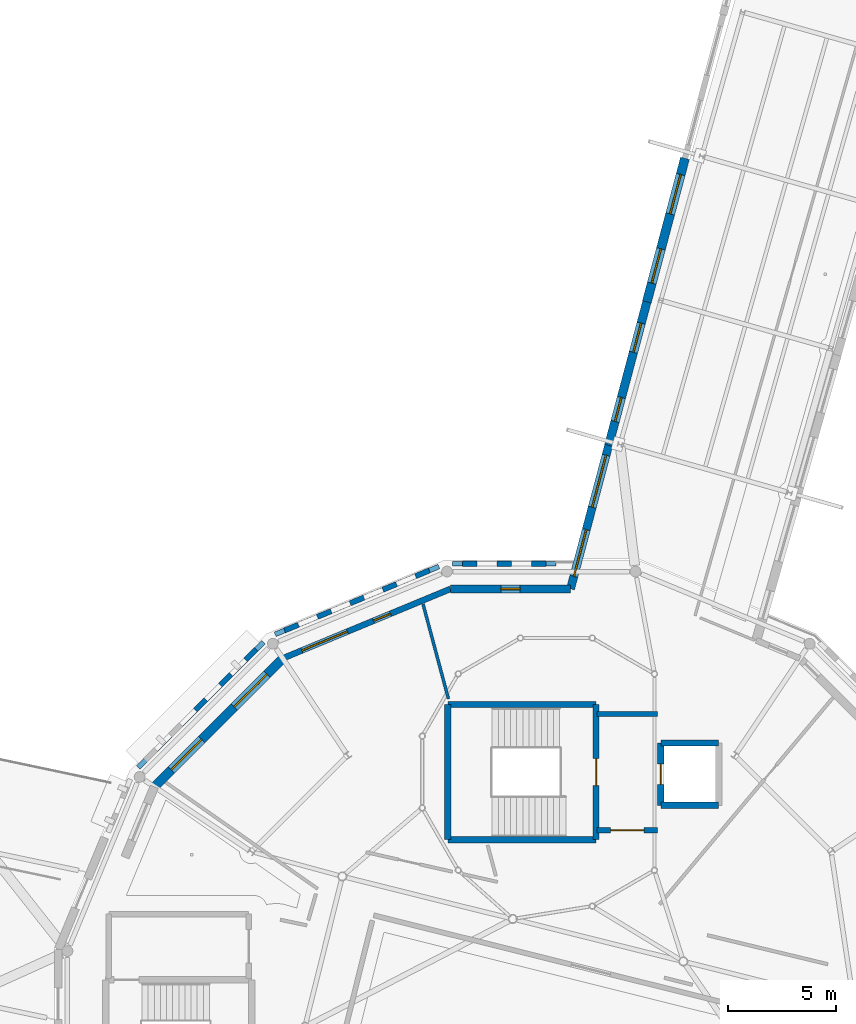
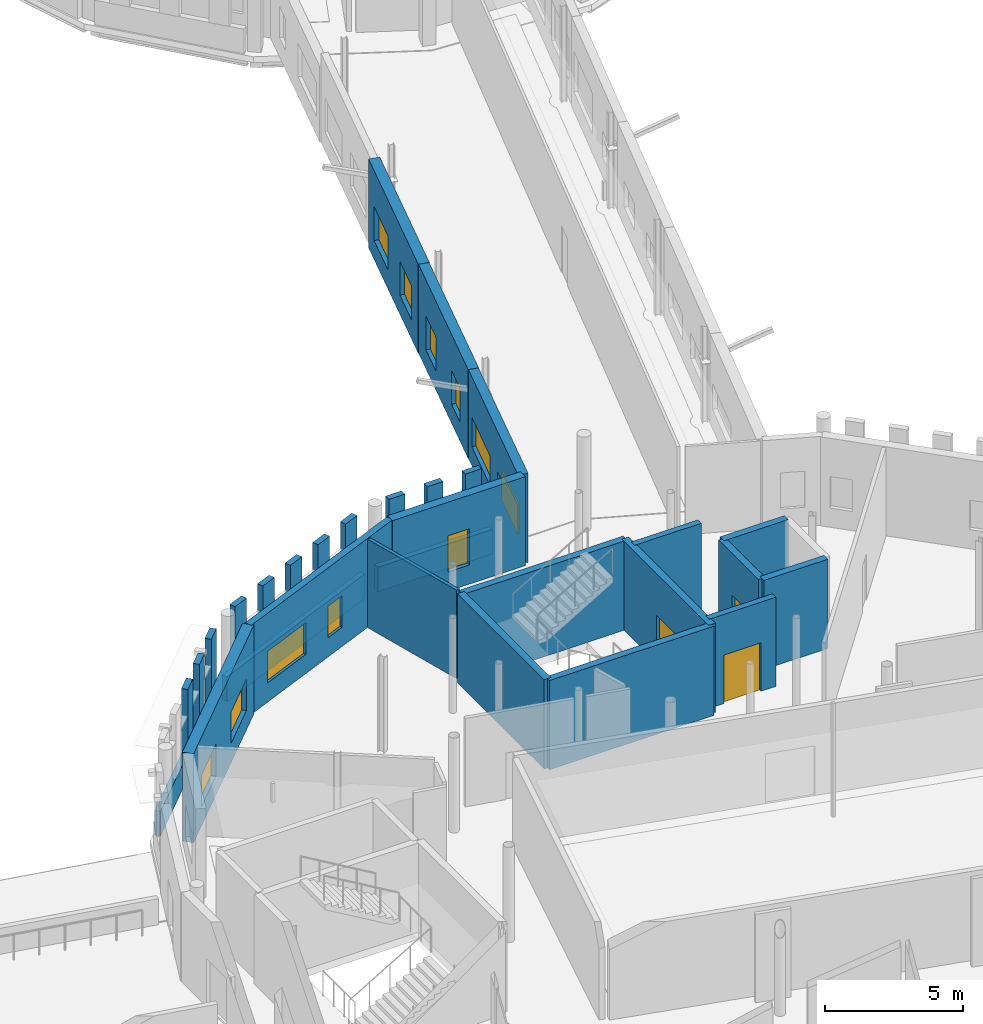
# One storey, part 66 of 90: 30 walls, 11 windows, 3 doors, 14 openings.
"""IFC4 building model written with IfcOpenShell, lengths in metres."""

from ifc_helpers import new_model, si_unit, direction, frame, frame_2d, origin, place, context, subcontext, project, spatial, rectangle, extrude, material, layer, layer_set, type_object, element, fill, save


model = new_model("IFC4")

# Units and contexts
model_context = context("Model", 3, precision=1e-05, world=origin(), true_north=direction((0.0, 1.0)))
body_context = subcontext(model_context, "Body", "Model", "MODEL_VIEW")
ifc_project = project(units=[si_unit("LENGTHUNIT", "METRE"), si_unit("AREAUNIT", "SQUARE_METRE"), si_unit("VOLUMEUNIT", "CUBIC_METRE"), si_unit("PLANEANGLEUNIT", "RADIAN"), si_unit("MASSUNIT", "GRAM", prefix="KILO")], contexts=[model_context])

# Site, building, storey
site_placement = place(None, origin())
site = spatial("IfcSite", under=ifc_project, at=site_placement, CompositionType="ELEMENT")
building_placement = place(site_placement, origin())
building = spatial("IfcBuilding", under=site, at=building_placement, Name="Wrenclough Park School", CompositionType="ELEMENT")
storey_placement = place(building_placement, frame((0.0, 0.0, 8.39990234375)))
storey = spatial("IfcBuildingStorey", under=building, at=storey_placement, Name="L02", CompositionType="ELEMENT", Elevation=8.39990234375)

# Walls
ifc_material_1 = material(Name="Perforated open-bond Staffordshire and Manchester brick screen pier", Category="masonry")
ifc_layer_1 = layer(ifc_material_1, 0.2451171875)
ifc_layer_set_1 = layer_set([ifc_layer_1], Name="Perforated open-bond Staffordshire and Manchester brick screen pier")
wall_type_1 = type_object("IfcWallType", Name="ENV-BS-PR245", PredefinedType="ELEMENTEDWALL", material=ifc_layer_set_1)
wall_1_placement = place(storey_placement, frame((155.71728515625, 48.878173828125, 1.090087890625), z_axis=(0.0, 0.0, 1.0), x_axis=(-1.0, 0.0, 0.0)))
element("IfcWall", 1, at=wall_1_placement, inside=storey, type_object=wall_type_1, Name="D1 L02 perforated brick screen pier 0397", PredefinedType="ELEMENTEDWALL", context=body_context, shape_type="SweptSolid", body=[
    extrude(rectangle(XDim=0.6708984375, YDim=0.2451171875, at=frame_2d((0.33544921875, 0.0))), origin(), (0.0, 0.0, 1.0), 2.85009765625),
])
for number, where, z_axis, x_axis, name in (
    (2, (154.11865234375, 48.878173828125, 1.090087890625), (0.0, 0.0, 1.0), (-1.0, 0.0, 0.0), "D1 L02 perforated brick screen pier 0398"),
    (3, (152.52001953125, 48.878173828125, 1.090087890625), (0.0, 0.0, 1.0), (-1.0, 0.0, 0.0), "D1 L02 perforated brick screen pier 0399"),
):
    element("IfcWall", number, at=place(storey_placement, frame(where, z_axis=z_axis, x_axis=x_axis)), inside=storey, type_object=wall_type_1, Name=name, PredefinedType="ELEMENTEDWALL", context=body_context, shape_type="SweptSolid", body=[
        extrude(rectangle(XDim=0.671142578125, YDim=0.2451171875, at=frame_2d((0.33544921875, 0.0))), origin(), (0.0, 0.0, 1.0), 2.85009765625),
    ])
wall_2_placement = place(storey_placement, frame((150.296630859375, 48.566650390625, 1.090087890625), z_axis=(0.0, 0.0, 1.0), x_axis=(-0.92377564286, -0.382934147939, 0.0)))
element("IfcWall", 4, at=wall_2_placement, inside=storey, type_object=wall_type_1, Name="D1 L02 perforated brick screen pier 0400", PredefinedType="ELEMENTEDWALL", context=body_context, shape_type="SweptSolid", body=[
    extrude(rectangle(XDim=0.691162109375, YDim=0.2451171875, at=frame_2d((0.345703125, 0.0))), origin(), (0.0, 0.0, 1.0), 2.85009765625),
])
for number, where, z_axis, x_axis, name in (
    (5, (148.77587890625, 47.9365234375, 1.090087890625), (0.0, 0.0, 1.0), (-0.923900574703, -0.38263262807, 0.0), "D1 L02 perforated brick screen pier 0401"),
    (6, (147.255126953125, 47.306640625, 1.090087890625), (0.0, 0.0, 1.0), (-0.923900574703, -0.38263262807, 0.0), "D1 L02 perforated brick screen pier 0402"),
    (7, (145.734619140625, 46.6767578125, 1.090087890625), (0.0, 0.0, 1.0), (-0.923900574703, -0.38263262807, 0.0), "D1 L02 perforated brick screen pier 0403"),
    (8, (144.2138671875, 46.046875, 1.090087890625), (0.0, 0.0, 1.0), (-0.923900574703, -0.38263262807, 0.0), "D1 L02 perforated brick screen pier 0404"),
):
    element("IfcWall", number, at=place(storey_placement, frame(where, z_axis=z_axis, x_axis=x_axis)), inside=storey, type_object=wall_type_1, Name=name, PredefinedType="ELEMENTEDWALL", context=body_context, shape_type="SweptSolid", body=[
        extrude(rectangle(XDim=0.69091796875, YDim=0.2451171875, at=frame_2d((0.345458984375, 0.0))), origin(), (0.0, 0.0, 1.0), 2.85009765625),
    ])
wall_3_placement = place(storey_placement, frame((142.247802734375, 44.895263671875, 1.090087890625), z_axis=(0.0, 0.0, 1.0), x_axis=(-0.706930114916, -0.707283403329, 0.0)))
element("IfcWall", 9, at=wall_3_placement, inside=storey, type_object=wall_type_1, Name="D1 L02 perforated brick screen pier 0405", PredefinedType="ELEMENTEDWALL", context=body_context, shape_type="SweptSolid", body=[
    extrude(rectangle(XDim=0.691162109375, YDim=0.2451171875, at=frame_2d((0.345703125, 0.0))), origin(), (0.0, 0.0, 1.0), 2.85009765625),
])
for number, where, z_axis, x_axis, name in (
    (10, (141.084228515625, 43.7314453125, 1.090087890625), (0.0, 0.0, 1.0), (-0.707106781187, -0.707106781187, 0.0), "D1 L02 perforated brick screen pier 0406"),
    (11, (139.92041015625, 42.567626953125, 1.090087890625), (0.0, 0.0, 1.0), (-0.707106781187, -0.707106781187, 0.0), "D1 L02 perforated brick screen pier 0407"),
):
    element("IfcWall", number, at=place(storey_placement, frame(where, z_axis=z_axis, x_axis=x_axis)), inside=storey, type_object=wall_type_1, Name=name, PredefinedType="ELEMENTEDWALL", context=body_context, shape_type="SweptSolid", body=[
        extrude(rectangle(XDim=0.69091796875, YDim=0.2451171875, at=frame_2d((0.345458984375, 0.0))), origin(), (0.0, 0.0, 1.0), 2.85009765625),
    ])
ifc_material_2 = material(Name="Open-bond Manchester multi-stock brick spandrel screen", Category="masonry")
ifc_layer_2 = layer(ifc_material_2, 0.22509765625)
ifc_layer_set_2 = layer_set([ifc_layer_2], Name="Open-bond Manchester multi-stock brick spandrel screen")
wall_type_2 = type_object("IfcWallType", Name="ENV-BS-SP225", PredefinedType="ELEMENTEDWALL", material=ifc_layer_set_2)
wall_4_placement = place(storey_placement, frame((156.18115234375, 48.878173828125, 0.0), z_axis=(0.0, 0.0, 1.0), x_axis=(-1.0, 0.0, 0.0)))
element("IfcWall", 12, at=wall_4_placement, inside=storey, type_object=wall_type_2, Name="D1 L02 open-bond brick screen spandrel 0111", PredefinedType="ELEMENTEDWALL", context=body_context, shape_type="SweptSolid", body=[
    extrude(rectangle(XDim=4.796142578125, YDim=0.22509765625, at=frame_2d((2.39794921875, 0.0))), origin(), (0.0, 0.0, 1.0), 1.090087890625),
])
wall_5_placement = place(storey_placement, frame((150.73779296875, 48.749267578125, 0.0), z_axis=(0.0, 0.0, 1.0), x_axis=(-0.923871846583, -0.38270198731, 0.0)))
element("IfcWall", 13, at=wall_5_placement, inside=storey, type_object=wall_type_2, Name="D1 L02 open-bond brick screen spandrel 0112", PredefinedType="ELEMENTEDWALL", context=body_context, shape_type="SweptSolid", body=[
    extrude(rectangle(XDim=8.22998046875, YDim=0.22509765625, at=frame_2d((4.114990234375, 0.0))), origin(), (0.0, 0.0, 1.0), 1.090087890625),
])
wall_6_placement = place(storey_placement, frame((142.58544921875, 45.23291015625, 0.0), z_axis=(0.0, 0.0, 1.0), x_axis=(-0.707106781187, -0.707106781187, 0.0)))
element("IfcWall", 14, at=wall_6_placement, inside=storey, type_object=wall_type_2, Name="D1 L02 open-bond brick screen spandrel 0113", PredefinedType="ELEMENTEDWALL", context=body_context, shape_type="SweptSolid", body=[
    extrude(rectangle(XDim=8.22900390625, YDim=0.22509765625, at=frame_2d((4.114501953125, 0.0))), origin(), (0.0, 0.0, 1.0), 1.090087890625),
])

# Wall, openings, windows
ifc_material_3 = material(Name="Link wing brick-faced cavity wall Concrete C32/40", Category="masonry")
ifc_layer_3 = layer(ifc_material_3, 0.27490234375)
ifc_layer_set_3 = layer_set([ifc_layer_3], Name="Link wing brick-faced cavity wall Concrete C32/40")
wall_type_3 = type_object("IfcWallType", Name="ENV-EW-275", PredefinedType="SOLIDWALL", material=ifc_layer_set_3)
wall_7_placement = place(storey_placement, frame((143.484375, 44.48291015625, 0.0), z_axis=(0.0, 0.0, 1.0), x_axis=(0.923884604839, 0.382671186453, 0.0)))
wall_7 = element("IfcWall", 15, at=wall_7_placement, inside=storey, type_object=wall_type_3, Name="L02 insulated brick external wall 0214", PredefinedType="SOLIDWALL", context=body_context, shape_type="SweptSolid", body=[
    extrude(rectangle(XDim=8.438720703125, YDim=0.27490234375, at=frame_2d((4.21923828125, 0.0))), origin(), (0.0, 0.0, 1.0), 3.940185546875),
])
opening_1_placement = place(wall_7_placement, frame((0.959716796875, 0.0, 0.85009765625)))
opening_1 = element("IfcOpeningElement", 16, at=opening_1_placement, cuts=wall_7, Name="Opening WN-11", PredefinedType="OPENING", context=body_context, shape_type="SweptSolid", body=[
    extrude(rectangle(XDim=2.300048828125, YDim=1.39990234375, at=frame_2d((1.14990234375, 0.699951171875))), frame((0.0, 0.1474609375, 0.0), z_axis=(0.0, -1.0, 0.0), x_axis=(1.0, 0.0, 0.0)), (0.0, 0.0, 1.0), 0.294921875),
])
opening_2_placement = place(wall_7_placement, frame((4.5693359375, 0.0, 0.85009765625)))
opening_2 = element("IfcOpeningElement", 17, at=opening_2_placement, cuts=wall_7, Name="Opening WN-01", PredefinedType="OPENING", context=body_context, shape_type="SweptSolid", body=[
    extrude(rectangle(XDim=0.85009765625, YDim=1.39990234375, at=frame_2d((0.425048828125, 0.699951171875))), frame((0.0, 0.1474609375, 0.0), z_axis=(0.0, -1.0, 0.0), x_axis=(1.0, 0.0, 0.0)), (0.0, 0.0, 1.0), 0.294921875),
])
ifc_material_4 = material(Name="Thermally broken aluminium and double-glazed low-e glass", Category="aluminium")
window_type_1 = type_object("IfcWindowType", Name="ENV-WN-01", PartitioningType="SINGLE_PANEL", PredefinedType="WINDOW", material=ifc_material_4)
window_1_placement = place(opening_2_placement, origin())
window_1 = element("IfcWindow", 18, at=window_1_placement, inside=storey, type_object=window_type_1, Name="L02 scheduled facade window 0347", OverallHeight=1.39990234375, OverallWidth=0.85009765625, PartitioningType="SINGLE_PANEL", PredefinedType="WINDOW", context=body_context, shape_type="SweptSolid", body=[
    extrude(rectangle(XDim=0.85009765625, YDim=1.39990234375, at=frame_2d((0.425048828125, 0.699951171875))), frame((0.0, 0.030029296875, 0.0), z_axis=(0.0, -1.0, 0.0), x_axis=(1.0, 0.0, 0.0)), (0.0, 0.0, 1.0), 0.06005859375),
])
fill(opening_2, window_1)
window_type_2 = type_object("IfcWindowType", Name="ENV-WN-11", PartitioningType="DOUBLE_PANEL_VERTICAL", PredefinedType="WINDOW", material=ifc_material_4)
window_2_placement = place(opening_1_placement, origin())
window_2 = element("IfcWindow", 19, at=window_2_placement, inside=storey, type_object=window_type_2, Name="L02 scheduled facade window 0346", OverallHeight=1.39990234375, OverallWidth=2.300048828125, PartitioningType="SINGLE_PANEL", PredefinedType="WINDOW", context=body_context, shape_type="SweptSolid", body=[
    extrude(rectangle(XDim=2.300048828125, YDim=1.39990234375, at=frame_2d((1.14990234375, 0.699951171875))), frame((0.0, 0.030029296875, 0.0), z_axis=(0.0, -1.0, 0.0), x_axis=(1.0, 0.0, 0.0)), (0.0, 0.0, 1.0), 0.06005859375),
])
fill(opening_1, window_2)

# Wall, opening, window
ifc_material_5 = material(Name="Faceted courtyard brick-cavity wall Concrete C35/45", Category="masonry")
ifc_layer_4 = layer(ifc_material_5, 0.364990234375)
ifc_layer_set_4 = layer_set([ifc_layer_4], Name="Faceted courtyard brick-cavity wall Concrete C35/45")
wall_type_4 = type_object("IfcWallType", Name="ENV-EW-365", PredefinedType="SOLIDWALL", material=ifc_layer_set_4)
wall_8_placement = place(storey_placement, frame((151.28076171875, 47.712158203125, 0.0), z_axis=(0.0, 0.0, 1.0), x_axis=(1.0, 0.0, 0.0)))
wall_8 = element("IfcWall", 20, at=wall_8_placement, inside=storey, type_object=wall_type_4, Name="L02 insulated brick external wall 0215", PredefinedType="SOLIDWALL", context=body_context, shape_type="SweptSolid", body=[
    extrude(rectangle(XDim=5.577880859375, YDim=0.364990234375, at=frame_2d((2.7890625, 0.0))), origin(), (0.0, 0.0, 1.0), 3.940185546875),
])
opening_3_placement = place(wall_8_placement, frame((2.339111328125, 0.0, 0.85009765625)))
opening_3 = element("IfcOpeningElement", 21, at=opening_3_placement, cuts=wall_8, Name="Opening WN-13", PredefinedType="OPENING", context=body_context, shape_type="SweptSolid", body=[
    extrude(rectangle(XDim=0.89990234375, YDim=1.60009765625, at=frame_2d((0.449951171875, 0.800048828125))), frame((0.0, 0.1923828125, 0.0), z_axis=(0.0, -1.0, 0.0), x_axis=(1.0, 0.0, 0.0)), (0.0, 0.0, 1.0), 0.385009765625),
])
window_type_3 = type_object("IfcWindowType", Name="ENV-WN-13", PartitioningType="SINGLE_PANEL", PredefinedType="WINDOW", material=ifc_material_4)
window_3_placement = place(opening_3_placement, origin())
window_3 = element("IfcWindow", 22, at=window_3_placement, inside=storey, type_object=window_type_3, Name="L02 scheduled facade window 0348", OverallHeight=1.60009765625, OverallWidth=0.89990234375, PartitioningType="SINGLE_PANEL", PredefinedType="WINDOW", context=body_context, shape_type="SweptSolid", body=[
    extrude(rectangle(XDim=0.89990234375, YDim=1.60009765625, at=frame_2d((0.449951171875, 0.800048828125))), frame((0.0, 0.030029296875, 0.0), z_axis=(0.0, -1.0, 0.0), x_axis=(1.0, 0.0, 0.0)), (0.0, 0.0, 1.0), 0.06005859375),
])
fill(opening_3, window_3)

# Wall, openings, windows
ifc_material_6 = material(Name="Manchester multi-stock brick and Concrete C35/45 inner leaf", Category="masonry")
ifc_layer_5 = layer(ifc_material_6, 0.3798828125)
ifc_layer_set_5 = layer_set([ifc_layer_5], Name="Manchester multi-stock brick and Concrete C35/45 inner leaf")
wall_type_5 = type_object("IfcWallType", Name="ENV-EW-380", PredefinedType="SOLIDWALL", material=ifc_layer_set_5)
wall_9_placement = place(storey_placement, frame((156.858642578125, 47.712158203125, 0.0), z_axis=(0.0, 0.0, 1.0), x_axis=(0.256891955278, 0.966440129192, 0.0)))
wall_9 = element("IfcWall", 23, at=wall_9_placement, inside=storey, type_object=wall_type_5, Name="L02 insulated brick external wall 0139", PredefinedType="SOLIDWALL", context=body_context, shape_type="SweptSolid", body=[
    extrude(rectangle(XDim=6.901611328125, YDim=0.3798828125, at=frame_2d((3.45068359375, 0.0))), origin(), (0.0, 0.0, 1.0), 3.940185546875),
])
opening_4_placement = place(wall_9_placement, frame((0.600341796875, 0.0, 0.85009765625)))
opening_4 = element("IfcOpeningElement", 24, at=opening_4_placement, cuts=wall_9, Name="Opening WN-48", PredefinedType="OPENING", context=body_context, shape_type="SweptSolid", body=[
    extrude(rectangle(XDim=2.25, YDim=1.300048828125, at=frame_2d((1.125, 0.64990234375))), frame((0.0, 0.199951171875, 0.0), z_axis=(0.0, -1.0, 0.0), x_axis=(1.0, 0.0, 0.0)), (0.0, 0.0, 1.0), 0.39990234375),
])
opening_5_placement = place(wall_9_placement, frame((3.926025390625, 0.0, 0.85009765625)))
opening_5 = element("IfcOpeningElement", 25, at=opening_5_placement, cuts=wall_9, Name="Opening WN-49", PredefinedType="OPENING", context=body_context, shape_type="SweptSolid", body=[
    extrude(rectangle(XDim=2.5, YDim=1.300048828125, at=frame_2d((1.25, 0.64990234375))), frame((0.0, 0.199951171875, 0.0), z_axis=(0.0, -1.0, 0.0), x_axis=(1.0, 0.0, 0.0)), (0.0, 0.0, 1.0), 0.39990234375),
])
window_type_4 = type_object("IfcWindowType", Name="ENV-WN-48", PartitioningType="DOUBLE_PANEL_VERTICAL", PredefinedType="WINDOW", material=ifc_material_4)
window_4_placement = place(opening_4_placement, origin())
window_4 = element("IfcWindow", 26, at=window_4_placement, inside=storey, type_object=window_type_4, Name="L02 scheduled facade window 0215", OverallHeight=1.300048828125, OverallWidth=2.25, PartitioningType="SINGLE_PANEL", PredefinedType="WINDOW", context=body_context, shape_type="SweptSolid", body=[
    extrude(rectangle(XDim=2.25, YDim=1.300048828125, at=frame_2d((1.125, 0.64990234375))), frame((0.0, 0.030029296875, 0.0), z_axis=(0.0, -1.0, 0.0), x_axis=(1.0, 0.0, 0.0)), (0.0, 0.0, 1.0), 0.06005859375),
])
fill(opening_4, window_4)
window_type_5 = type_object("IfcWindowType", Name="ENV-WN-49", PartitioningType="DOUBLE_PANEL_VERTICAL", PredefinedType="WINDOW", material=ifc_material_4)
window_5_placement = place(opening_5_placement, origin())
window_5 = element("IfcWindow", 27, at=window_5_placement, inside=storey, type_object=window_type_5, Name="L02 scheduled facade window 0216", OverallHeight=1.300048828125, OverallWidth=2.5, PartitioningType="SINGLE_PANEL", PredefinedType="WINDOW", context=body_context, shape_type="SweptSolid", body=[
    extrude(rectangle(XDim=2.5, YDim=1.300048828125, at=frame_2d((1.25, 0.64990234375))), frame((0.0, 0.030029296875, 0.0), z_axis=(0.0, -1.0, 0.0), x_axis=(1.0, 0.0, 0.0)), (0.0, 0.0, 1.0), 0.06005859375),
])
fill(opening_5, window_5)

ifc_material_7 = material(Name="Staffordshire blue-grey brick and Concrete C40/50 acoustic leaf", Category="masonry")
ifc_layer_6 = layer(ifc_material_7, 0.39990234375)
ifc_layer_set_6 = layer_set([ifc_layer_6], Name="Staffordshire blue-grey brick and Concrete C40/50 acoustic leaf")
wall_type_6 = type_object("IfcWallType", Name="ENV-EW-400", PredefinedType="SOLIDWALL", material=ifc_layer_set_6)
wall_10_placement = place(storey_placement, frame((158.631591796875, 54.382080078125, 0.0), z_axis=(0.0, 0.0, 1.0), x_axis=(0.256900738099, 0.966437794565, 0.0)))
wall_10 = element("IfcWall", 28, at=wall_10_placement, inside=storey, type_object=wall_type_6, Name="L02 insulated brick external wall 0140", PredefinedType="SOLIDWALL", context=body_context, shape_type="SweptSolid", body=[
    extrude(rectangle(XDim=6.9013671875, YDim=0.39990234375, at=frame_2d((3.45068359375, 0.0))), origin(), (0.0, 0.0, 1.0), 3.940185546875),
])
opening_6_placement = place(wall_10_placement, frame((1.150390625, 0.0, 0.85009765625)))
opening_6 = element("IfcOpeningElement", 29, at=opening_6_placement, cuts=wall_10, Name="Opening WN-50", PredefinedType="OPENING", context=body_context, shape_type="SweptSolid", body=[
    extrude(rectangle(XDim=1.14990234375, YDim=1.5, at=frame_2d((0.574951171875, 0.75))), frame((0.0, 0.2099609375, 0.0), z_axis=(0.0, -1.0, 0.0), x_axis=(1.0, 0.0, 0.0)), (0.0, 0.0, 1.0), 0.419921875),
])
opening_7_placement = place(wall_10_placement, frame((4.47607421875, 0.0, 0.85009765625)))
opening_7 = element("IfcOpeningElement", 30, at=opening_7_placement, cuts=wall_10, Name="Opening WN-51", PredefinedType="OPENING", context=body_context, shape_type="SweptSolid", body=[
    extrude(rectangle(XDim=1.39990234375, YDim=1.5, at=frame_2d((0.699951171875, 0.75))), frame((0.0, 0.2099609375, 0.0), z_axis=(0.0, -1.0, 0.0), x_axis=(1.0, 0.0, 0.0)), (0.0, 0.0, 1.0), 0.419921875),
])
window_type_6 = type_object("IfcWindowType", Name="ENV-WN-50", PartitioningType="SINGLE_PANEL", PredefinedType="WINDOW", material=ifc_material_4)
window_6_placement = place(opening_6_placement, origin())
window_6 = element("IfcWindow", 31, at=window_6_placement, inside=storey, type_object=window_type_6, Name="L02 scheduled facade window 0217", OverallHeight=1.5, OverallWidth=1.14990234375, PartitioningType="SINGLE_PANEL", PredefinedType="WINDOW", context=body_context, shape_type="SweptSolid", body=[
    extrude(rectangle(XDim=1.14990234375, YDim=1.5, at=frame_2d((0.574951171875, 0.75))), frame((0.0, 0.030029296875, 0.0), z_axis=(0.0, -1.0, 0.0), x_axis=(1.0, 0.0, 0.0)), (0.0, 0.0, 1.0), 0.06005859375),
])
fill(opening_6, window_6)
window_type_7 = type_object("IfcWindowType", Name="ENV-WN-51", PartitioningType="SINGLE_PANEL", PredefinedType="WINDOW", material=ifc_material_4)
window_7_placement = place(opening_7_placement, origin())
window_7 = element("IfcWindow", 32, at=window_7_placement, inside=storey, type_object=window_type_7, Name="L02 scheduled facade window 0218", OverallHeight=1.5, OverallWidth=1.39990234375, PartitioningType="SINGLE_PANEL", PredefinedType="WINDOW", context=body_context, shape_type="SweptSolid", body=[
    extrude(rectangle(XDim=1.39990234375, YDim=1.5, at=frame_2d((0.699951171875, 0.75))), frame((0.0, 0.030029296875, 0.0), z_axis=(0.0, -1.0, 0.0), x_axis=(1.0, 0.0, 0.0)), (0.0, 0.0, 1.0), 0.06005859375),
])
fill(opening_7, window_7)

ifc_material_8 = material(Name="Insulated brick-clad sports hall wall Concrete C40/50", Category="masonry")
ifc_layer_7 = layer(ifc_material_8, 0.425048828125)
ifc_layer_set_7 = layer_set([ifc_layer_7], Name="Insulated brick-clad sports hall wall Concrete C40/50")
wall_type_7 = type_object("IfcWallType", Name="ENV-EW-425", PredefinedType="SOLIDWALL", material=ifc_layer_set_7)
wall_11_placement = place(storey_placement, frame((160.404541015625, 61.0517578125, 0.0), z_axis=(0.0, 0.0, 1.0), x_axis=(0.256858914513, 0.966448911239, 0.0)))
wall_11 = element("IfcWall", 33, at=wall_11_placement, inside=storey, type_object=wall_type_7, Name="L02 insulated brick external wall 0141", PredefinedType="SOLIDWALL", context=body_context, shape_type="SweptSolid", body=[
    extrude(rectangle(XDim=6.9013671875, YDim=0.425048828125, at=frame_2d((3.45068359375, 0.0))), origin(), (0.0, 0.0, 1.0), 3.940185546875),
])
opening_8_placement = place(wall_11_placement, frame((0.900390625, 0.0, 0.85009765625)))
opening_8 = element("IfcOpeningElement", 34, at=opening_8_placement, cuts=wall_11, Name="Opening WN-52", PredefinedType="OPENING", context=body_context, shape_type="SweptSolid", body=[
    extrude(rectangle(XDim=1.64990234375, YDim=1.5, at=frame_2d((0.824951171875, 0.75))), frame((0.0, 0.222412109375, 0.0), z_axis=(0.0, -1.0, 0.0), x_axis=(1.0, 0.0, 0.0)), (0.0, 0.0, 1.0), 0.445068359375),
])
opening_9_placement = place(wall_11_placement, frame((4.22607421875, 0.0, 0.85009765625)))
opening_9 = element("IfcOpeningElement", 35, at=opening_9_placement, cuts=wall_11, Name="Opening WN-53", PredefinedType="OPENING", context=body_context, shape_type="SweptSolid", body=[
    extrude(rectangle(XDim=1.89990234375, YDim=1.5, at=frame_2d((0.949951171875, 0.75))), frame((0.0, 0.222412109375, 0.0), z_axis=(0.0, -1.0, 0.0), x_axis=(1.0, 0.0, 0.0)), (0.0, 0.0, 1.0), 0.445068359375),
])
window_type_8 = type_object("IfcWindowType", Name="ENV-WN-52", PartitioningType="DOUBLE_PANEL_VERTICAL", PredefinedType="WINDOW", material=ifc_material_4)
window_8_placement = place(opening_8_placement, origin())
window_8 = element("IfcWindow", 36, at=window_8_placement, inside=storey, type_object=window_type_8, Name="L02 scheduled facade window 0219", OverallHeight=1.5, OverallWidth=1.64990234375, PartitioningType="SINGLE_PANEL", PredefinedType="WINDOW", context=body_context, shape_type="SweptSolid", body=[
    extrude(rectangle(XDim=1.64990234375, YDim=1.5, at=frame_2d((0.824951171875, 0.75))), frame((0.0, 0.030029296875, 0.0), z_axis=(0.0, -1.0, 0.0), x_axis=(1.0, 0.0, 0.0)), (0.0, 0.0, 1.0), 0.06005859375),
])
fill(opening_8, window_8)
window_type_9 = type_object("IfcWindowType", Name="ENV-WN-53", PartitioningType="DOUBLE_PANEL_VERTICAL", PredefinedType="WINDOW", material=ifc_material_4)
window_9_placement = place(opening_9_placement, origin())
window_9 = element("IfcWindow", 37, at=window_9_placement, inside=storey, type_object=window_type_9, Name="L02 scheduled facade window 0220", OverallHeight=1.5, OverallWidth=1.89990234375, PartitioningType="SINGLE_PANEL", PredefinedType="WINDOW", context=body_context, shape_type="SweptSolid", body=[
    extrude(rectangle(XDim=1.89990234375, YDim=1.5, at=frame_2d((0.949951171875, 0.75))), frame((0.0, 0.030029296875, 0.0), z_axis=(0.0, -1.0, 0.0), x_axis=(1.0, 0.0, 0.0)), (0.0, 0.0, 1.0), 0.06005859375),
])
fill(opening_9, window_9)

wall_12_placement = place(storey_placement, frame((137.51708984375, 38.515625, 0.0), z_axis=(0.0, 0.0, 1.0), x_axis=(0.707106781187, 0.707106781187, 0.0)))
wall_12 = element("IfcWall", 38, at=wall_12_placement, inside=storey, type_object=wall_type_7, Name="L02 insulated brick external wall 0213", PredefinedType="SOLIDWALL", context=body_context, shape_type="SweptSolid", body=[
    extrude(rectangle(XDim=8.43896484375, YDim=0.425048828125, at=frame_2d((4.219482421875, 0.0))), origin(), (0.0, 0.0, 1.0), 3.940185546875),
])
opening_10_placement = place(wall_12_placement, frame((1.109619140625, 0.0, 0.85009765625)))
opening_10 = element("IfcOpeningElement", 39, at=opening_10_placement, cuts=wall_12, Name="Opening WN-09", PredefinedType="OPENING", context=body_context, shape_type="SweptSolid", body=[
    extrude(rectangle(XDim=2.0, YDim=1.39990234375, at=frame_2d((1.0, 0.699951171875))), frame((0.0, 0.222412109375, 0.0), z_axis=(0.0, -1.0, 0.0), x_axis=(1.0, 0.0, 0.0)), (0.0, 0.0, 1.0), 0.445068359375),
])
opening_11_placement = place(wall_12_placement, frame((5.254150390625, 0.0, 0.85009765625)))
opening_11 = element("IfcOpeningElement", 40, at=opening_11_placement, cuts=wall_12, Name="Opening WN-10", PredefinedType="OPENING", context=body_context, shape_type="SweptSolid", body=[
    extrude(rectangle(XDim=2.14990234375, YDim=1.39990234375, at=frame_2d((1.074951171875, 0.699951171875))), frame((0.0, 0.222412109375, 0.0), z_axis=(0.0, -1.0, 0.0), x_axis=(1.0, 0.0, 0.0)), (0.0, 0.0, 1.0), 0.445068359375),
])
window_type_10 = type_object("IfcWindowType", Name="ENV-WN-09", PartitioningType="DOUBLE_PANEL_VERTICAL", PredefinedType="WINDOW", material=ifc_material_4)
window_10_placement = place(opening_10_placement, origin())
window_10 = element("IfcWindow", 41, at=window_10_placement, inside=storey, type_object=window_type_10, Name="L02 scheduled facade window 0344", OverallHeight=1.39990234375, OverallWidth=2.0, PartitioningType="SINGLE_PANEL", PredefinedType="WINDOW", context=body_context, shape_type="SweptSolid", body=[
    extrude(rectangle(XDim=2.0, YDim=1.39990234375, at=frame_2d((1.0, 0.699951171875))), frame((0.0, 0.030029296875, 0.0), z_axis=(0.0, -1.0, 0.0), x_axis=(1.0, 0.0, 0.0)), (0.0, 0.0, 1.0), 0.06005859375),
])
fill(opening_10, window_10)
window_type_11 = type_object("IfcWindowType", Name="ENV-WN-10", PartitioningType="DOUBLE_PANEL_VERTICAL", PredefinedType="WINDOW", material=ifc_material_4)
window_11_placement = place(opening_11_placement, origin())
window_11 = element("IfcWindow", 42, at=window_11_placement, inside=storey, type_object=window_type_11, Name="L02 scheduled facade window 0345", OverallHeight=1.39990234375, OverallWidth=2.14990234375, PartitioningType="SINGLE_PANEL", PredefinedType="WINDOW", context=body_context, shape_type="SweptSolid", body=[
    extrude(rectangle(XDim=2.14990234375, YDim=1.39990234375, at=frame_2d((1.074951171875, 0.699951171875))), frame((0.0, 0.030029296875, 0.0), z_axis=(0.0, -1.0, 0.0), x_axis=(1.0, 0.0, 0.0)), (0.0, 0.0, 1.0), 0.06005859375),
])
fill(opening_11, window_11)

# Wall, opening, door
ifc_material_9 = material(Name="Concrete C35/45", Category="concrete")
ifc_layer_8 = layer(ifc_material_9, 0.25)
ifc_layer_set_8 = layer_set([ifc_layer_8], Name="Concrete C35/45")
wall_type_8 = type_object("IfcWallType", Name="INT-CW-250", PredefinedType="SHEAR", material=ifc_layer_set_8)
wall_13_placement = place(storey_placement, frame((158.10009765625, 36.5, 0.0), z_axis=(0.0, 0.0, 1.0), x_axis=(1.0, 0.0, 0.0)))
wall_13 = element("IfcWall", 43, at=wall_13_placement, inside=storey, type_object=wall_type_8, Name="Core C1 L02 lobby fire wall south", PredefinedType="SHEAR", context=body_context, shape_type="SweptSolid", body=[
    extrude(rectangle(XDim=2.7998046875, YDim=0.25, at=frame_2d((1.39990234375, 0.0))), origin(), (0.0, 0.0, 1.0), 3.9501953125),
])
opening_12_placement = place(wall_13_placement, frame((0.625, 0.0, 0.0)))
opening_12 = element("IfcOpeningElement", 44, at=opening_12_placement, cuts=wall_13, Name="Opening DLB-C1-L02", PredefinedType="OPENING", context=body_context, shape_type="SweptSolid", body=[
    extrude(rectangle(XDim=1.550048828125, YDim=2.14990234375, at=frame_2d((0.77490234375, 1.074951171875))), frame((0.0, 0.135009765625, 0.0), z_axis=(0.0, -1.0, 0.0), x_axis=(1.0, 0.0, 0.0)), (0.0, 0.0, 1.0), 0.27001953125),
])
ifc_material_10 = material(Name="Protected stair lobby double fire door assembly", Category="wood")
door_type_1 = type_object("IfcDoorType", Name="INT-DR-LB155", OperationType="NOTDEFINED", PredefinedType="DOOR", material=ifc_material_10)
door_1_placement = place(opening_12_placement, origin())
door_1 = element("IfcDoor", 45, at=door_1_placement, inside=storey, type_object=door_type_1, Name="Core C1 L02 protected lobby fire door", OperationType="DOUBLE_DOOR_SINGLE_SWING", OverallHeight=2.14990234375, OverallWidth=1.550048828125, PredefinedType="DOOR", context=body_context, shape_type="SweptSolid", body=[
    extrude(rectangle(XDim=1.550048828125, YDim=2.14990234375, at=frame_2d((0.77490234375, 1.074951171875))), frame((0.0, 0.02490234375, 0.0), z_axis=(0.0, -1.0, 0.0), x_axis=(1.0, 0.0, 0.0)), (0.0, 0.0, 1.0), 0.050048828125),
])
fill(opening_12, door_1)

# Walls
wall_14_placement = place(storey_placement, frame((160.89990234375, 41.89990234375, 0.0), z_axis=(0.0, 0.0, 1.0), x_axis=(-1.0, 0.0, 0.0)))
element("IfcWall", 46, at=wall_14_placement, inside=storey, type_object=wall_type_8, Name="Core C1 L02 lobby fire wall north", PredefinedType="SHEAR", context=body_context, shape_type="SweptSolid", body=[
    extrude(rectangle(XDim=2.7998046875, YDim=0.25, at=frame_2d((1.39990234375, 0.0))), origin(), (0.0, 0.0, 1.0), 3.9501953125),
])
ifc_material_11 = material(Name="Concrete C40/50", Category="concrete")
ifc_layer_9 = layer(ifc_material_11, 0.2900390625)
ifc_layer_set_9 = layer_set([ifc_layer_9], Name="Concrete C40/50")
wall_type_9 = type_object("IfcWallType", Name="INT-CW-290", PredefinedType="SHEAR", material=ifc_layer_set_9)
wall_15_placement = place(storey_placement, frame((151.155029296875, 36.054931640625, 0.0), z_axis=(0.0, 0.0, 1.0), x_axis=(1.0, 0.0, 0.0)))
element("IfcWall", 47, at=wall_15_placement, inside=storey, type_object=wall_type_9, Name="Core C1 L02 south shear wall", PredefinedType="SHEAR", context=body_context, shape_type="SweptSolid", body=[
    extrude(rectangle(XDim=6.889892578125, YDim=0.2900390625, at=frame_2d((3.44482421875, 0.0))), origin(), (0.0, 0.0, 1.0), 3.9501953125),
])

# Wall, opening, door
wall_16_placement = place(storey_placement, frame((158.044921875, 36.054931640625, 0.0), z_axis=(0.0, 0.0, 1.0), x_axis=(0.0, 1.0, 0.0)))
wall_16 = element("IfcWall", 48, at=wall_16_placement, inside=storey, type_object=wall_type_9, Name="Core C1 L02 east shear wall", PredefinedType="SHEAR", context=body_context, shape_type="SweptSolid", body=[
    extrude(rectangle(XDim=6.2900390625, YDim=0.2900390625, at=frame_2d((3.14501953125, 0.0))), origin(), (0.0, 0.0, 1.0), 3.9501953125),
])
opening_13_placement = place(wall_16_placement, frame((2.52001953125, 0.0, 0.0)))
opening_13 = element("IfcOpeningElement", 49, at=opening_13_placement, cuts=wall_16, Name="Opening DST-C1-L02", PredefinedType="OPENING", context=body_context, shape_type="SweptSolid", body=[
    extrude(rectangle(XDim=1.25, YDim=2.10009765625, at=frame_2d((0.625, 1.050048828125))), frame((0.0, 0.155029296875, 0.0), z_axis=(0.0, -1.0, 0.0), x_axis=(1.0, 0.0, 0.0)), (0.0, 0.0, 1.0), 0.31005859375),
])
ifc_material_12 = material(Name="Wide protected escape stair fire door assembly", Category="wood")
door_type_2 = type_object("IfcDoorType", Name="INT-DR-ST125", OperationType="NOTDEFINED", PredefinedType="DOOR", material=ifc_material_12)
door_2_placement = place(opening_13_placement, origin())
door_2 = element("IfcDoor", 50, at=door_2_placement, inside=storey, type_object=door_type_2, Name="Stair ST-01 L02 fire door", OperationType="SINGLE_SWING_LEFT", OverallHeight=2.10009765625, OverallWidth=1.25, PredefinedType="DOOR", context=body_context, shape_type="SweptSolid", body=[
    extrude(rectangle(XDim=1.25, YDim=2.10009765625, at=frame_2d((0.625, 1.050048828125))), frame((0.0, 0.02490234375, 0.0), z_axis=(0.0, -1.0, 0.0), x_axis=(1.0, 0.0, 0.0)), (0.0, 0.0, 1.0), 0.050048828125),
])
fill(opening_13, door_2)

# Walls
wall_17_placement = place(storey_placement, frame((158.044921875, 42.344970703125, 0.0), z_axis=(0.0, 0.0, 1.0), x_axis=(-1.0, 0.0, 0.0)))
element("IfcWall", 51, at=wall_17_placement, inside=storey, type_object=wall_type_9, Name="Core C1 L02 north shear wall", PredefinedType="SHEAR", context=body_context, shape_type="SweptSolid", body=[
    extrude(rectangle(XDim=6.889892578125, YDim=0.2900390625, at=frame_2d((3.44482421875, 0.0))), origin(), (0.0, 0.0, 1.0), 3.9501953125),
])
wall_18_placement = place(storey_placement, frame((151.155029296875, 42.344970703125, 0.0), z_axis=(0.0, 0.0, 1.0), x_axis=(0.0, -1.0, 0.0)))
element("IfcWall", 52, at=wall_18_placement, inside=storey, type_object=wall_type_9, Name="Core C1 L02 west shear wall", PredefinedType="SHEAR", context=body_context, shape_type="SweptSolid", body=[
    extrude(rectangle(XDim=6.2900390625, YDim=0.2900390625, at=frame_2d((3.14501953125, 0.0))), origin(), (0.0, 0.0, 1.0), 3.9501953125),
])
for number, where, z_axis, x_axis, name in (
    (53, (161.054931640625, 37.655029296875, 0.0), (0.0, 0.0, 1.0), (1.0, 0.0, 0.0), "Lift LFT-03 L02 south shaft wall"),
    (54, (163.7451171875, 40.544921875, 0.0), (0.0, 0.0, 1.0), (-1.0, 0.0, 0.0), "Lift LFT-03 L02 north shaft wall"),
):
    element("IfcWall", number, at=place(storey_placement, frame(where, z_axis=z_axis, x_axis=x_axis)), inside=storey, type_object=wall_type_9, Name=name, PredefinedType="SHEAR", context=body_context, shape_type="SweptSolid", body=[
        extrude(rectangle(XDim=2.690185546875, YDim=0.2900390625, at=frame_2d((1.34521484375, 0.0))), origin(), (0.0, 0.0, 1.0), 3.9501953125),
    ])

# Wall, opening, door
wall_19_placement = place(storey_placement, frame((161.054931640625, 40.544921875, 0.0), z_axis=(0.0, 0.0, 1.0), x_axis=(0.0, -1.0, 0.0)))
wall_19 = element("IfcWall", 55, at=wall_19_placement, inside=storey, type_object=wall_type_9, Name="Lift LFT-03 L02 west shaft wall", PredefinedType="SHEAR", context=body_context, shape_type="SweptSolid", body=[
    extrude(rectangle(XDim=2.889892578125, YDim=0.2900390625, at=frame_2d((1.44482421875, 0.0))), origin(), (0.0, 0.0, 1.0), 3.9501953125),
])
opening_14_placement = place(wall_19_placement, frame((0.969970703125, 0.0, 0.0)))
opening_14 = element("IfcOpeningElement", 56, at=opening_14_placement, cuts=wall_19, Name="Opening LD-03-L02", PredefinedType="OPENING", context=body_context, shape_type="SweptSolid", body=[
    extrude(rectangle(XDim=0.949951171875, YDim=2.10009765625, at=frame_2d((0.47509765625, 1.050048828125))), frame((0.0, 0.155029296875, 0.0), z_axis=(0.0, -1.0, 0.0), x_axis=(1.0, 0.0, 0.0)), (0.0, 0.0, 1.0), 0.31005859375),
])
ifc_material_13 = material(Name="Brushed stainless steel", Category="steel")
door_type_3 = type_object("IfcDoorType", Name="INT-DR-LD095", OperationType="NOTDEFINED", PredefinedType="DOOR", material=ifc_material_13)
door_3_placement = place(opening_14_placement, frame((0.949951171875, 0.0, 0.0), z_axis=(0.0, 0.0, 1.0), x_axis=(-1.0, 0.0, 0.0)))
door_3 = element("IfcDoor", 57, at=door_3_placement, inside=storey, type_object=door_type_3, Name="Lift LFT-03 L02 sliding landing door", OperationType="SLIDING_TO_LEFT", OverallHeight=2.10009765625, OverallWidth=0.949951171875, PredefinedType="DOOR", context=body_context, shape_type="SweptSolid", body=[
    extrude(rectangle(XDim=0.949951171875, YDim=2.10009765625, at=frame_2d((0.47509765625, 1.050048828125))), frame((0.0, 0.02490234375, 0.0), z_axis=(0.0, -1.0, 0.0), x_axis=(1.0, 0.0, 0.0)), (0.0, 0.0, 1.0), 0.050048828125),
])
fill(opening_14, door_3)

# Wall
ifc_material_14 = material(Name="Moisture-resistant sanitary service wall", Category="gypsum")
ifc_layer_10 = layer(ifc_material_14, 0.139892578125)
ifc_layer_set_10 = layer_set([ifc_layer_10], Name="Moisture-resistant sanitary service wall")
wall_type_10 = type_object("IfcWallType", Name="INT-SV-140", PredefinedType="PLUMBINGWALL", material=ifc_layer_set_10)
wall_20_placement = place(storey_placement, frame((151.18603515625, 42.60009765625, 0.0), z_axis=(0.0, 0.0, 1.0), x_axis=(-0.258841272413, 0.965919870225, 0.0)))
element("IfcWall", 58, at=wall_20_placement, inside=storey, type_object=wall_type_10, Name="L02 internal partition 0331", PredefinedType="PLUMBINGWALL", context=body_context, shape_type="SweptSolid", body=[
    extrude(rectangle(XDim=4.563232421875, YDim=0.139892578125, at=frame_2d((2.28173828125, 0.0))), origin(), (0.0, 0.0, 1.0), 3.9150390625),
])

save(model, "model.ifc")
